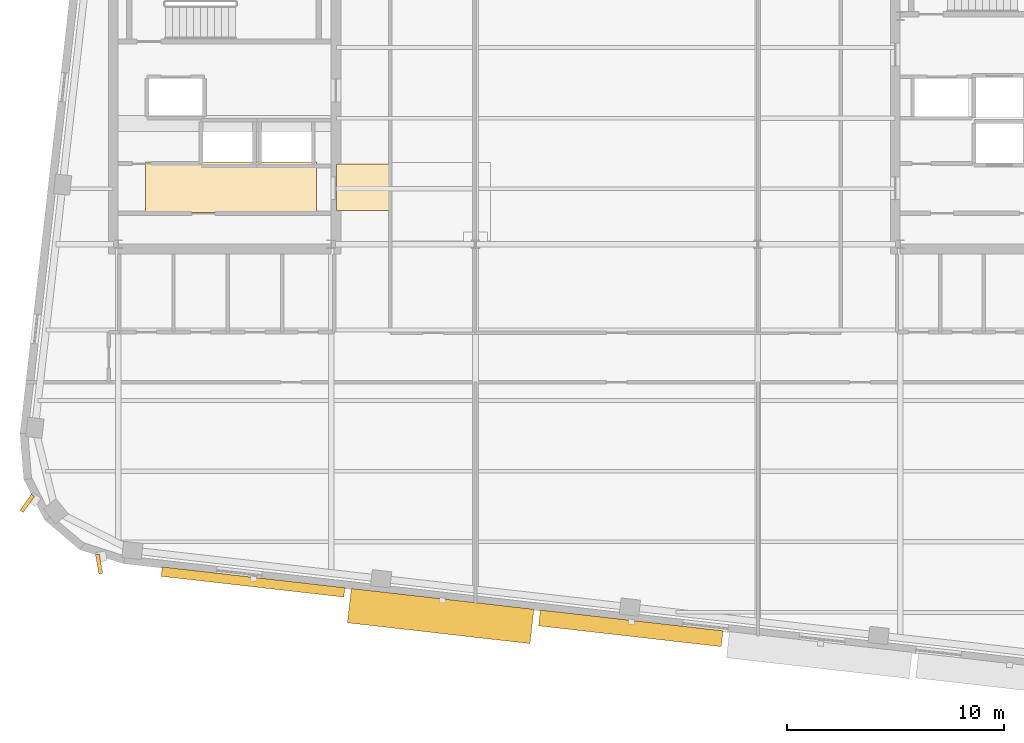
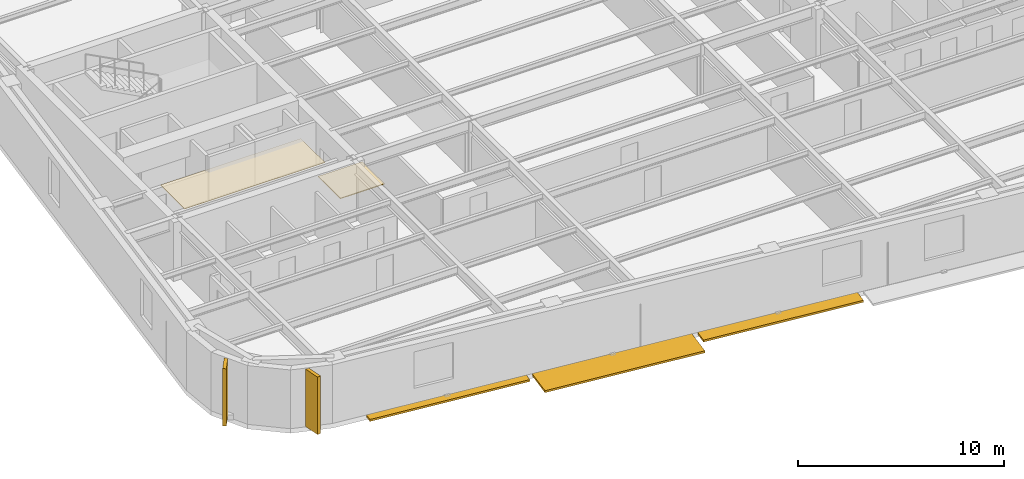
# One storey, part 10 of 14: 5 shading devices, 2 coverings.
"""IFC4 building model written with IfcOpenShell, lengths in metres."""

from ifc_helpers import new_model, si_unit, direction, frame, origin, origin_2d, place, context, subcontext, project, spatial, polyline, rectangle, outline, extrude, material, layer, layer_set, type_object, element, save


model = new_model("IFC4")

# Units and contexts
model_context = context("Model", 3, precision=1e-05, world=origin(), true_north=direction((0.0, 1.0)))
body_context = subcontext(model_context, "Body", "Model", "MODEL_VIEW")
ifc_project = project(units=[si_unit("LENGTHUNIT", "METRE"), si_unit("AREAUNIT", "SQUARE_METRE"), si_unit("VOLUMEUNIT", "CUBIC_METRE"), si_unit("PLANEANGLEUNIT", "RADIAN"), si_unit("MASSUNIT", "GRAM", prefix="KILO")], contexts=[model_context])

# Site, building, storey
site_placement = place(None, origin())
site = spatial("IfcSite", under=ifc_project, at=site_placement, CompositionType="ELEMENT")
building_placement = place(site_placement, origin())
building = spatial("IfcBuilding", under=site, at=building_placement, Name="Kolvaren Arena Tower", CompositionType="ELEMENT")
storey_placement = place(building_placement, frame((0.0, 0.0, 235.949951171875)))
storey = spatial("IfcBuildingStorey", under=building, at=storey_placement, Name="L57", CompositionType="ELEMENT", Elevation=235.949951171875)

# Coverings
ifc_material_1 = material(Name="Moisture-resistant gypsum ceiling", Category="gypsum")
ifc_layer_1 = layer(ifc_material_1, 0.030029296875)
ifc_layer_set_1 = layer_set([ifc_layer_1], Name="Moisture-resistant gypsum ceiling")
covering_type_1 = type_object("IfcCoveringType", Name="CEIL-GYP-1", PredefinedType="CEILING", material=ifc_layer_set_1)
covering_1_placement = place(storey_placement, frame((0.0, 0.0, 2.52001953125)))
element("IfcCovering", 1, at=covering_1_placement, inside=storey, type_object=covering_type_1, Name="Suspended Ceiling (L57)", PredefinedType="CEILING", context=body_context, shape_type="SweptSolid", body=[
    extrude(outline(polyline([(15.820068359375, 20.89990234375), (15.820068359375, 23.239990234375), (23.679931640625, 23.239990234375), (23.679931640625, 20.89990234375), (15.820068359375, 20.89990234375)])), origin(), (0.0, 0.0, 1.0), 0.030029296875),
])
ifc_material_2 = material(Name="Raised access office floor finish", Category="aluminium")
ifc_layer_2 = layer(ifc_material_2, 0.044921875)
ifc_layer_set_2 = layer_set([ifc_layer_2], Name="Raised access office floor finish")
covering_type_2 = type_object("IfcCoveringType", Name="FLOR-RAF-1", PredefinedType="FLOORING", material=ifc_layer_set_2)
covering_2_placement = place(storey_placement, origin())
element("IfcCovering", 2, at=covering_2_placement, inside=storey, type_object=covering_type_2, Name="Floor Finish (L57)", PredefinedType="FLOORING", context=body_context, shape_type="SweptSolid", body=[
    extrude(outline(polyline([(24.60009765625, 21.0), (24.60009765625, 23.14990234375), (27.080078125, 23.14990234375), (27.080078125, 21.0), (24.60009765625, 21.0)])), origin(), (0.0, 0.0, 1.0), 0.045166015625),
])

# Shading devices
ifc_material_3 = material(Name="Precast architectural concrete C50/60 rib fin", Category="concrete")
shading_device_type_1 = type_object("IfcShadingDeviceType", Name="SHAD-FIN-28", PredefinedType="USERDEFINED", material=ifc_material_3)
for number, where, z_axis, x_axis, name in (
    (3, (10.369140625, 7.52001953125, 0.02001953125), (0.0, 0.0, 1.0), (-0.569965213199, -0.821668823641, 0.0), "Precast 28-Deg Corner Rib Fin (L57)"),
    (4, (13.67333984375, 4.722900390625, 0.02001953125), (0.0, 0.0, 1.0), (0.177965872603, -0.984036659982, 0.0), "Precast 28-Deg Corner Rib Fin (L57)"),
):
    element("IfcShadingDevice", number, at=place(storey_placement, frame(where, z_axis=z_axis, x_axis=x_axis)), inside=storey, type_object=shading_device_type_1, Name=name, ObjectType="FIN", PredefinedType="USERDEFINED", context=body_context, shape_type="SweptSolid", body=[
        extrude(rectangle(XDim=0.89990234375, YDim=0.179931640625, at=origin_2d()), origin(), (0.0, 0.0, 1.0), 3.39990234375),
    ])
ifc_material_4 = material(Name="Architectural precast GFRC and anodised aluminium sunshade", Category="concrete")
shading_device_type_2 = type_object("IfcShadingDeviceType", Name="SHAD-SINE-A", PredefinedType="USERDEFINED", material=ifc_material_4)
shading_device_1_placement = place(storey_placement, frame((38.149169921875, 1.76416015625, -0.139892578125), z_axis=(0.0, 0.0, 1.0), x_axis=(-0.993571658098, 0.113204947878, 0.0)))
element("IfcShadingDevice", 5, at=shading_device_1_placement, inside=storey, type_object=shading_device_type_2, Name="Sinusoidal Slab-Edge Sunshade Louvre (L57)", ObjectType="LOUVRE", PredefinedType="USERDEFINED", context=body_context, shape_type="SweptSolid", body=[
    extrude(rectangle(XDim=8.4599609375, YDim=0.733154296875, at=origin_2d()), origin(), (0.0, 0.0, 1.0), 0.1201171875),
])
shading_device_2_placement = place(storey_placement, frame((20.7587890625, 3.896484375, -0.139892578125), z_axis=(0.0, 0.0, 1.0), x_axis=(-0.993571658098, 0.113204947878, 0.0)))
element("IfcShadingDevice", 6, at=shading_device_2_placement, inside=storey, type_object=shading_device_type_2, Name="Sinusoidal Slab-Edge Sunshade Louvre (L57)", ObjectType="LOUVRE", PredefinedType="USERDEFINED", context=body_context, shape_type="SweptSolid", body=[
    extrude(rectangle(XDim=8.4599609375, YDim=0.432861328125, at=origin_2d()), origin(), (0.0, 0.0, 1.0), 0.1201171875),
])
shading_device_type_3 = type_object("IfcShadingDeviceType", Name="SHAD-SINE-B", PredefinedType="JALOUSIE", material=ifc_material_4)
shading_device_3_placement = place(storey_placement, frame((29.39697265625, 2.330078125, -0.139892578125), z_axis=(0.0, 0.0, 1.0), x_axis=(-0.993571658098, 0.113204947878, 0.0)))
element("IfcShadingDevice", 7, at=shading_device_3_placement, inside=storey, type_object=shading_device_type_3, Name="Sinusoidal Slab-Edge Sunshade Louvre (L57)", PredefinedType="JALOUSIE", context=body_context, shape_type="SweptSolid", body=[
    extrude(rectangle(XDim=8.4599609375, YDim=1.589599609375, at=origin_2d()), origin(), (0.0, 0.0, 1.0), 0.1201171875),
])

save(model, "model.ifc")
